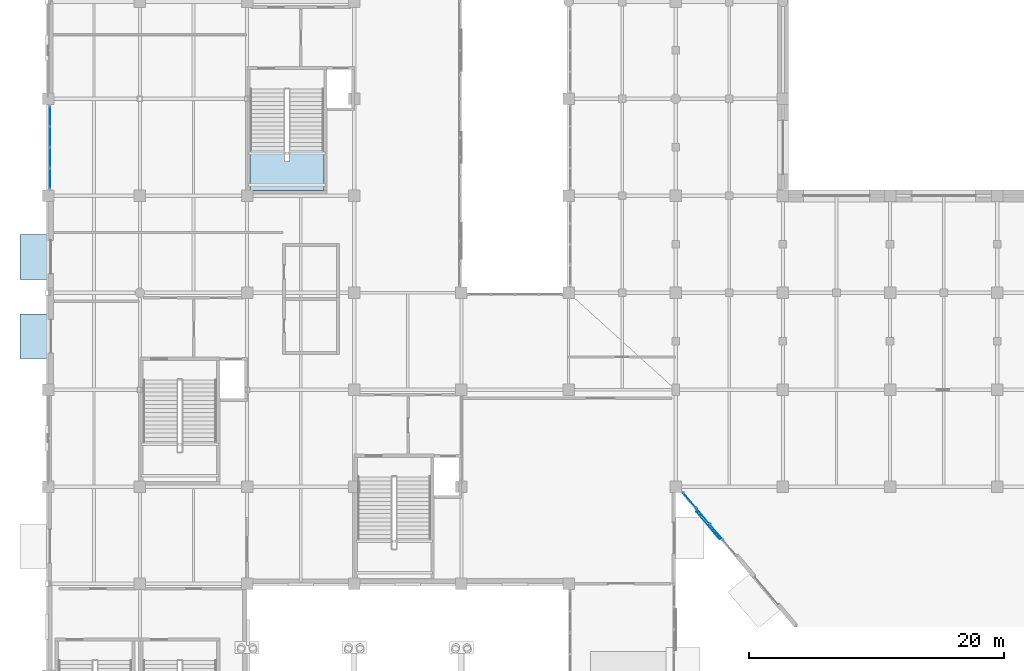
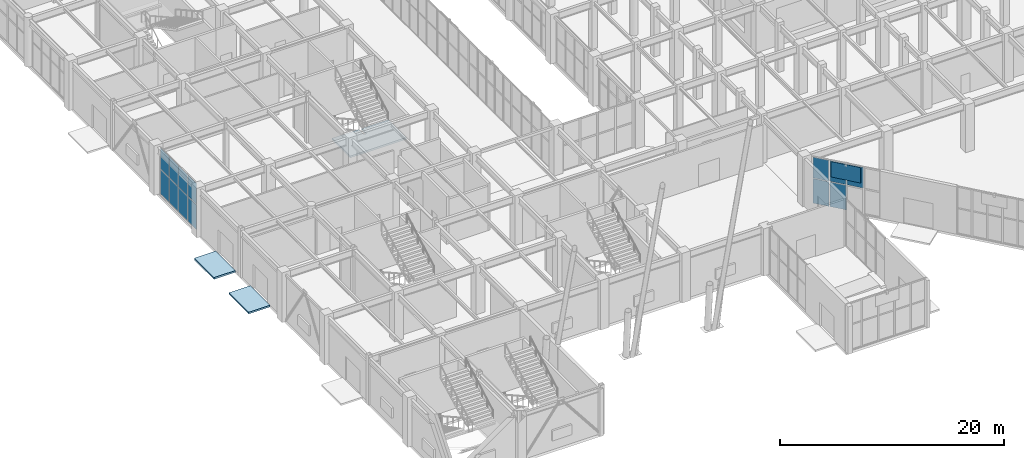
# One storey, part 101 of 139: 14 plates, 3 slabs, 3 elements without a shape of their own.
"""IFC4 building model written with IfcOpenShell, lengths in metres."""

from ifc_helpers import new_model, si_unit, direction, frame, origin, origin_2d, place, context, subcontext, project, spatial, polyline, rectangle, outline, extrude, material, layer, layer_set, type_object, element, aggregate, save


model = new_model("IFC4")

# Units and contexts
model_context = context("Model", 3, precision=1e-05, world=origin(), true_north=direction((0.0, 1.0)))
body_context = subcontext(model_context, "Body", "Model", "MODEL_VIEW")
ifc_project = project(units=[si_unit("LENGTHUNIT", "METRE"), si_unit("AREAUNIT", "SQUARE_METRE"), si_unit("VOLUMEUNIT", "CUBIC_METRE"), si_unit("PLANEANGLEUNIT", "RADIAN"), si_unit("MASSUNIT", "GRAM", prefix="KILO")], contexts=[model_context])

# Site, building, storey
site_placement = place(None, origin())
site = spatial("IfcSite", under=ifc_project, at=site_placement, CompositionType="ELEMENT")
building_placement = place(site_placement, origin())
building = spatial("IfcBuilding", under=site, at=building_placement, Name="Xicomal Pleat Aquarium", CompositionType="ELEMENT")
storey_placement = place(building_placement, origin())
storey = spatial("IfcBuildingStorey", under=building, at=storey_placement, Name="L01", CompositionType="ELEMENT", Elevation=0.0)

# Curtain wall, plates
ifc_material_1 = material(Name="Bronze anodized aluminium 6063-T6", Category="aluminium")
ifc_layer_1 = layer(ifc_material_1, 0.159912109375)
ifc_layer_set_1 = layer_set([ifc_layer_1], Name="Bronze anodized aluminium 6063-T6")
curtain_wall_type_1 = type_object("IfcCurtainWallType", Name="CW-SYS-06", PredefinedType="NOTDEFINED", material=ifc_layer_set_1)
curtain_wall_1_placement = place(storey_placement, origin())
curtain_wall_1 = element("IfcCurtainWall", 1, at=curtain_wall_1_placement, inside=storey, type_object=curtain_wall_type_1, Name="L01 unitised curtain wall CW-L01-004", PredefinedType="NOTDEFINED")
ifc_material_2 = material(Name="Insulated low-E laminated glass", Category="glass")
ifc_layer_2 = layer(ifc_material_2, 0.028076171875)
ifc_layer_set_2 = layer_set([ifc_layer_2], Name="Insulated low-E laminated glass")
plate_type_1 = type_object("IfcPlateType", Name="CWP-GLZ-28", PredefinedType="CURTAIN_PANEL", material=ifc_layer_set_2)
plate_1_placement = place(storey_placement, frame((55.38134765625, 19.25390625, 2.82373046875), z_axis=(0.0, 0.0, 1.0), x_axis=(-0.645639128324, 0.763642662491, 0.0)))
plate_1 = element("IfcPlate", 2, at=plate_1_placement, type_object=plate_type_1, Name="CW-06 panel 2.2", PredefinedType="CURTAIN_PANEL", context=body_context, shape_type="SweptSolid", body=[
    extrude(rectangle(XDim=1.552001953125, YDim=0.028076171875, at=origin_2d()), origin(), (0.0, 0.0, 1.0), 2.261474609375),
])
plate_2_placement = place(storey_placement, frame((54.330810546875, 20.49609375, 0.0751953125), z_axis=(0.0, 0.0, 1.0), x_axis=(-0.645639128324, 0.763642662491, 0.0)))
plate_2 = element("IfcPlate", 3, at=plate_2_placement, type_object=plate_type_1, Name="CW-06 panel 3.1", PredefinedType="CURTAIN_PANEL", context=body_context, shape_type="SweptSolid", body=[
    extrude(rectangle(XDim=1.552001953125, YDim=0.028076171875, at=origin_2d()), origin(), (0.0, 0.0, 1.0), 2.673583984375),
])
plate_3_placement = place(storey_placement, frame((54.330810546875, 20.49609375, 2.82373046875), z_axis=(0.0, 0.0, 1.0), x_axis=(-0.645639128324, 0.763642662491, 0.0)))
plate_3 = element("IfcPlate", 4, at=plate_3_placement, type_object=plate_type_1, Name="CW-06 panel 3.2", PredefinedType="CURTAIN_PANEL", context=body_context, shape_type="SweptSolid", body=[
    extrude(rectangle(XDim=1.552001953125, YDim=0.028076171875, at=origin_2d()), origin(), (0.0, 0.0, 1.0), 2.261474609375),
])
plate_4_placement = place(storey_placement, frame((53.29248046875, 21.724365234375, 0.0751953125), z_axis=(0.0, 0.0, 1.0), x_axis=(-0.645639128324, 0.763642662491, 0.0)))
plate_4 = element("IfcPlate", 5, at=plate_4_placement, type_object=plate_type_1, Name="CW-06 panel 4.1", PredefinedType="CURTAIN_PANEL", context=body_context, shape_type="SweptSolid", body=[
    extrude(rectangle(XDim=1.5146484375, YDim=0.028076171875, at=origin_2d()), origin(), (0.0, 0.0, 1.0), 2.673583984375),
])
plate_5_placement = place(storey_placement, frame((53.29248046875, 21.724365234375, 2.82373046875), z_axis=(0.0, 0.0, 1.0), x_axis=(-0.645639128324, 0.763642662491, 0.0)))
plate_5 = element("IfcPlate", 6, at=plate_5_placement, type_object=plate_type_1, Name="CW-06 panel 4.2", PredefinedType="CURTAIN_PANEL", context=body_context, shape_type="SweptSolid", body=[
    extrude(rectangle(XDim=1.5146484375, YDim=0.028076171875, at=origin_2d()), origin(), (0.0, 0.0, 1.0), 2.261474609375),
])
aggregate(curtain_wall_1, [plate_1, plate_2, plate_3, plate_4, plate_5])

ifc_material_3 = material(Name="Bronze anodized aluminium 6063-T6", Category="aluminium")
ifc_layer_3 = layer(ifc_material_3, 0.159912109375)
ifc_layer_set_3 = layer_set([ifc_layer_3], Name="Bronze anodized aluminium 6063-T6")
curtain_wall_type_2 = type_object("IfcCurtainWallType", Name="CW-SYS-11", PredefinedType="NOTDEFINED", material=ifc_layer_set_3)
curtain_wall_2_placement = place(storey_placement, origin())
curtain_wall_2 = element("IfcCurtainWall", 7, at=curtain_wall_2_placement, inside=storey, type_object=curtain_wall_type_2, Name="L01 unitised curtain wall CW-L01-008", PredefinedType="NOTDEFINED")
plate_6_placement = place(storey_placement, frame((3.139892578125, 46.961181640625, 0.0849609375), z_axis=(0.0, 0.0, 1.0), x_axis=(0.0, 1.0, 0.0)))
plate_6 = element("IfcPlate", 8, at=plate_6_placement, type_object=plate_type_1, Name="CW-11 panel 1.1", PredefinedType="CURTAIN_PANEL", context=body_context, shape_type="SweptSolid", body=[
    extrude(rectangle(XDim=1.512451171875, YDim=0.028076171875, at=origin_2d()), origin(), (0.0, 0.0, 1.0), 2.658447265625),
])
plate_7_placement = place(storey_placement, frame((3.139892578125, 46.961181640625, 2.828369140625), z_axis=(0.0, 0.0, 1.0), x_axis=(0.0, 1.0, 0.0)))
plate_7 = element("IfcPlate", 9, at=plate_7_placement, type_object=plate_type_1, Name="CW-11 panel 1.2", PredefinedType="CURTAIN_PANEL", context=body_context, shape_type="SweptSolid", body=[
    extrude(rectangle(XDim=1.512451171875, YDim=0.028076171875, at=origin_2d()), origin(), (0.0, 0.0, 1.0), 2.24658203125),
])
plate_8_placement = place(storey_placement, frame((3.139892578125, 48.580078125, 0.0849609375), z_axis=(0.0, 0.0, 1.0), x_axis=(0.0, 1.0, 0.0)))
plate_8 = element("IfcPlate", 10, at=plate_8_placement, type_object=plate_type_1, Name="CW-11 panel 2.1", PredefinedType="CURTAIN_PANEL", context=body_context, shape_type="SweptSolid", body=[
    extrude(rectangle(XDim=1.554931640625, YDim=0.028076171875, at=origin_2d()), origin(), (0.0, 0.0, 1.0), 2.658447265625),
])
plate_9_placement = place(storey_placement, frame((3.139892578125, 48.580078125, 2.828369140625), z_axis=(0.0, 0.0, 1.0), x_axis=(0.0, 1.0, 0.0)))
plate_9 = element("IfcPlate", 11, at=plate_9_placement, type_object=plate_type_1, Name="CW-11 panel 2.2", PredefinedType="CURTAIN_PANEL", context=body_context, shape_type="SweptSolid", body=[
    extrude(rectangle(XDim=1.554931640625, YDim=0.028076171875, at=origin_2d()), origin(), (0.0, 0.0, 1.0), 2.24658203125),
])
plate_10_placement = place(storey_placement, frame((3.139892578125, 50.219970703125, 0.0849609375), z_axis=(0.0, 0.0, 1.0), x_axis=(0.0, 1.0, 0.0)))
plate_10 = element("IfcPlate", 12, at=plate_10_placement, type_object=plate_type_1, Name="CW-11 panel 3.1", PredefinedType="CURTAIN_PANEL", context=body_context, shape_type="SweptSolid", body=[
    extrude(rectangle(XDim=1.554931640625, YDim=0.028076171875, at=origin_2d()), origin(), (0.0, 0.0, 1.0), 2.658447265625),
])
plate_11_placement = place(storey_placement, frame((3.139892578125, 50.219970703125, 2.828369140625), z_axis=(0.0, 0.0, 1.0), x_axis=(0.0, 1.0, 0.0)))
plate_11 = element("IfcPlate", 13, at=plate_11_placement, type_object=plate_type_1, Name="CW-11 panel 3.2", PredefinedType="CURTAIN_PANEL", context=body_context, shape_type="SweptSolid", body=[
    extrude(rectangle(XDim=1.554931640625, YDim=0.028076171875, at=origin_2d()), origin(), (0.0, 0.0, 1.0), 2.24658203125),
])
plate_12_placement = place(storey_placement, frame((3.139892578125, 51.838623046875, 0.0849609375), z_axis=(0.0, 0.0, 1.0), x_axis=(0.0, 1.0, 0.0)))
plate_12 = element("IfcPlate", 14, at=plate_12_placement, type_object=plate_type_1, Name="CW-11 panel 4.1", PredefinedType="CURTAIN_PANEL", context=body_context, shape_type="SweptSolid", body=[
    extrude(rectangle(XDim=1.512451171875, YDim=0.028076171875, at=origin_2d()), origin(), (0.0, 0.0, 1.0), 2.658447265625),
])
plate_13_placement = place(storey_placement, frame((3.139892578125, 51.838623046875, 2.828369140625), z_axis=(0.0, 0.0, 1.0), x_axis=(0.0, 1.0, 0.0)))
plate_13 = element("IfcPlate", 15, at=plate_13_placement, type_object=plate_type_1, Name="CW-11 panel 4.2", PredefinedType="CURTAIN_PANEL", context=body_context, shape_type="SweptSolid", body=[
    extrude(rectangle(XDim=1.512451171875, YDim=0.028076171875, at=origin_2d()), origin(), (0.0, 0.0, 1.0), 2.24658203125),
])
aggregate(curtain_wall_2, [plate_6, plate_7, plate_8, plate_9, plate_10, plate_11, plate_12, plate_13])

# Plate
ifc_material_4 = material(Name="Perforated bronze anodized aluminium", Category="aluminium")
ifc_layer_4 = layer(ifc_material_4, 0.02001953125)
ifc_layer_set_4 = layer_set([ifc_layer_4], Name="Perforated bronze anodized aluminium")
plate_type_2 = type_object("IfcPlateType", Name="PLT-SUN-20", PredefinedType="USERDEFINED", material=ifc_layer_set_4)
plate_14_placement = place(storey_placement, frame((54.73388671875, 19.77197265625, 3.43994140625), z_axis=(0.0, 0.0, 1.0), x_axis=(-0.645590985448, 0.763683363384, 0.0)))
element("IfcPlate", 16, at=plate_14_placement, inside=storey, type_object=plate_type_2, Name="L01 perforated solar sunshade 4", ObjectType="SUNSHADE PANEL", PredefinedType="USERDEFINED", context=body_context, shape_type="SweptSolid", body=[
    extrude(rectangle(XDim=2.800048828125, YDim=0.02001953125, at=origin_2d()), origin(), (0.0, 0.0, 1.0), 1.679931640625),
])

# Stair, slab
ifc_material_5 = material(Name="Concrete C35/45", Category="concrete")
stair_type = type_object("IfcStairType", Name="STR-HT-5400-2400", PredefinedType="HALF_TURN_STAIR", material=ifc_material_5)
stair_placement = place(storey_placement, origin())
stair = element("IfcStair", 17, at=stair_placement, inside=storey, type_object=stair_type, Name="ST-04 fire exit stair L01 to L02", PredefinedType="HALF_TURN_STAIR")
ifc_material_6 = material(Name="Concrete C35/45", Category="concrete")
ifc_layer_5 = layer(ifc_material_6, 0.195068359375)
ifc_layer_set_5 = layer_set([ifc_layer_5], Name="Concrete C35/45")
slab_type_1 = type_object("IfcSlabType", Name="SLB-LND-195", PredefinedType="LANDING", material=ifc_layer_set_5)
slab_1_placement = place(storey_placement, frame((0.0, 0.0, 2.5048828125)))
slab_1 = element("IfcSlab", 18, at=slab_1_placement, type_object=slab_type_1, Name="ST-04 landing 1", PredefinedType="LANDING", context=body_context, shape_type="SweptSolid", body=[
    extrude(outline(polyline([(18.840087890625, 46.0), (24.6201171875, 46.0), (24.6201171875, 49.2099609375), (21.8798828125, 49.2099609375), (21.8798828125, 48.300048828125), (21.580078125, 48.300048828125), (21.580078125, 49.2099609375), (18.840087890625, 49.2099609375), (18.840087890625, 46.0)])), origin(), (0.0, 0.0, 1.0), 0.195068359375),
])
aggregate(stair, [slab_1])

# Slabs
ifc_material_7 = material(Name="Concrete C40/50", Category="concrete")
ifc_layer_6 = layer(ifc_material_7, 0.18505859375)
ifc_layer_set_6 = layer_set([ifc_layer_6], Name="Concrete C40/50")
slab_type_2 = type_object("IfcSlabType", Name="SLB-TER-185", PredefinedType="FLOOR", material=ifc_layer_set_6)
slab_2_placement = place(storey_placement, frame((0.0, 0.0, -0.18505859375)))
element("IfcSlab", 19, at=slab_2_placement, inside=storey, type_object=slab_type_2, Name="Exterior grade entrance apron SL-APR-EX-03", PredefinedType="FLOOR", context=body_context, shape_type="SweptSolid", body=[
    extrude(outline(polyline([(0.800048828125, 39.054931640625), (0.800048828125, 42.554931640625), (3.0, 42.554931640625), (3.0, 39.054931640625), (0.800048828125, 39.054931640625)])), origin(), (0.0, 0.0, 1.0), 0.18505859375),
])
slab_3_placement = place(storey_placement, frame((0.0, 0.0, -0.18505859375)))
element("IfcSlab", 20, at=slab_3_placement, inside=storey, type_object=slab_type_2, Name="Exterior grade entrance apron SL-APR-EX-11", PredefinedType="FLOOR", context=body_context, shape_type="SweptSolid", body=[
    extrude(outline(polyline([(0.800048828125, 32.846923828125), (0.800048828125, 36.346923828125), (3.0, 36.346923828125), (3.0, 32.846923828125), (0.800048828125, 32.846923828125)])), origin(), (0.0, 0.0, 1.0), 0.18505859375),
])

save(model, "model.ifc")
